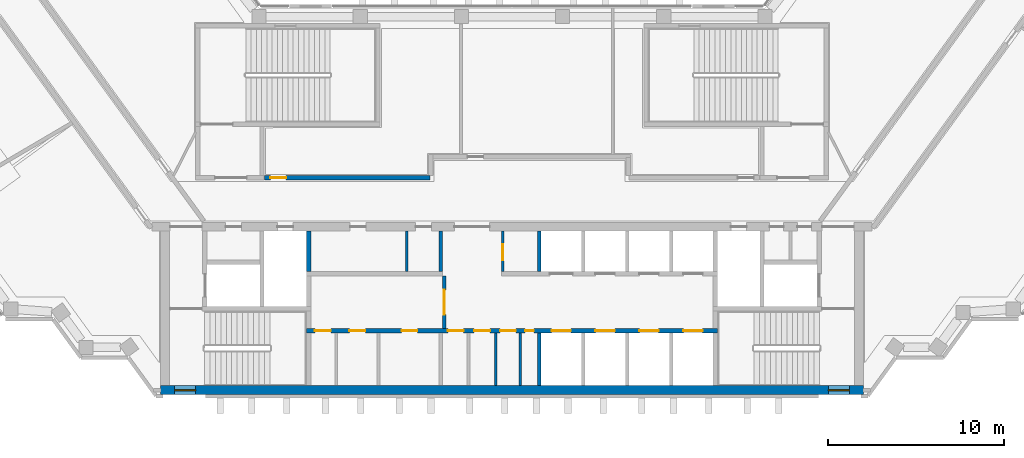
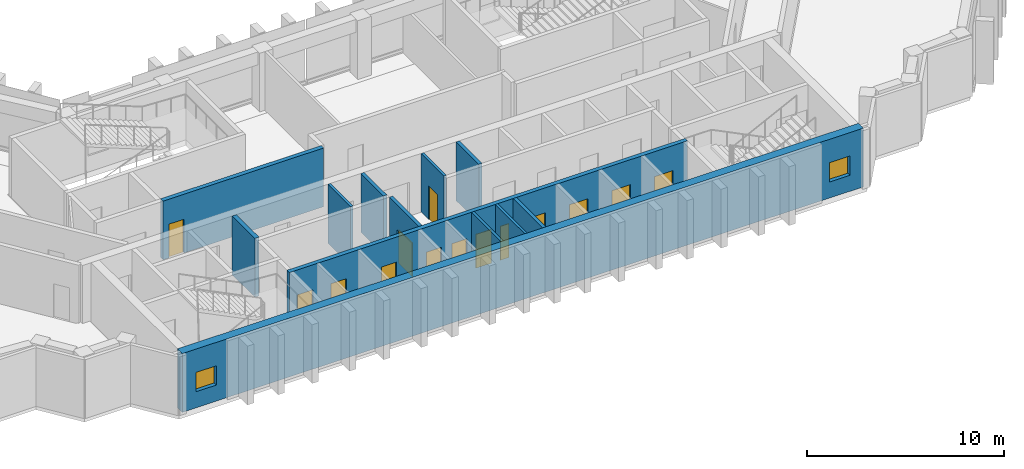
# One storey, part 7 of 13: 14 doors, 12 walls, 2 windows, 16 openings.
"""IFC4 building model written with IfcOpenShell, lengths in metres."""

from ifc_helpers import new_model, si_unit, direction, frame, frame_2d, origin, place, context, subcontext, project, spatial, rectangle, extrude, material, layer, layer_set, type_object, element, fill, save


model = new_model("IFC4")

# Units and contexts
model_context = context("Model", 3, precision=1e-05, world=origin(), true_north=direction((0.0, 1.0)))
body_context = subcontext(model_context, "Body", "Model", "MODEL_VIEW")
ifc_project = project(units=[si_unit("LENGTHUNIT", "METRE"), si_unit("AREAUNIT", "SQUARE_METRE"), si_unit("VOLUMEUNIT", "CUBIC_METRE"), si_unit("PLANEANGLEUNIT", "RADIAN"), si_unit("MASSUNIT", "GRAM", prefix="KILO")], contexts=[model_context])

# Site, building, storey
site_placement = place(None, origin())
site = spatial("IfcSite", under=ifc_project, at=site_placement, CompositionType="ELEMENT")
building_placement = place(site_placement, origin())
building = spatial("IfcBuilding", under=site, at=building_placement, Name="Quipu Civic Tower", CompositionType="ELEMENT")
storey_placement = place(building_placement, frame((0.0, 0.0, 156.0)))
storey = spatial("IfcBuildingStorey", under=building, at=storey_placement, Name="L36", CompositionType="ELEMENT", Elevation=156.0)

# Wall, openings, doors
ifc_material_1 = material(Name="Concrete C70/85", Category="concrete")
ifc_layer_1 = layer(ifc_material_1, 0.25)
ifc_layer_set_1 = layer_set([ifc_layer_1], Name="Concrete C70/85")
wall_type_1 = type_object("IfcWallType", Name="Core wall 250", PredefinedType="SHEAR", material=ifc_layer_set_1)
wall_1_placement = place(storey_placement, frame((11.699951171875, -7.375, 0.0), z_axis=(0.0, 0.0, 1.0), x_axis=(-1.0, 0.0, 0.0)))
wall_1 = element("IfcWall", 1, at=wall_1_placement, inside=storey, type_object=wall_type_1, Name="Core wall", PredefinedType="SHEAR", context=body_context, shape_type="SweptSolid", body=[
    extrude(rectangle(XDim=23.39990234375, YDim=0.25, at=frame_2d((11.699951171875, 0.0))), origin(), (0.0, 0.0, 1.0), 3.64990234375),
])
opening_1_placement = place(wall_1_placement, frame((22.011962890625, 0.0, 0.0)))
opening_1 = element("IfcOpeningElement", 2, at=opening_1_placement, cuts=wall_1, Name="Opening CD-01", PredefinedType="OPENING", context=body_context, shape_type="SweptSolid", body=[
    extrude(rectangle(XDim=0.89990234375, YDim=2.10009765625, at=frame_2d((0.449951171875, 1.050048828125))), frame((0.0, 0.135009765625, 0.0), z_axis=(0.0, -1.0, 0.0), x_axis=(1.0, 0.0, 0.0)), (0.0, 0.0, 1.0), 0.27001953125),
])
opening_2_placement = place(wall_1_placement, frame((20.050048828125, 0.0, 0.0)))
opening_2 = element("IfcOpeningElement", 3, at=opening_2_placement, cuts=wall_1, Name="Opening CD-02", PredefinedType="OPENING", context=body_context, shape_type="SweptSolid", body=[
    extrude(rectangle(XDim=0.89990234375, YDim=2.10009765625, at=frame_2d((0.449951171875, 1.050048828125))), frame((0.0, 0.135009765625, 0.0), z_axis=(0.0, -1.0, 0.0), x_axis=(1.0, 0.0, 0.0)), (0.0, 0.0, 1.0), 0.27001953125),
])
opening_3_placement = place(wall_1_placement, frame((17.087890625, 0.0, 0.0)))
opening_3 = element("IfcOpeningElement", 4, at=opening_3_placement, cuts=wall_1, Name="Opening CD-03", PredefinedType="OPENING", context=body_context, shape_type="SweptSolid", body=[
    extrude(rectangle(XDim=0.89990234375, YDim=2.10009765625, at=frame_2d((0.449951171875, 1.050048828125))), frame((0.0, 0.135009765625, 0.0), z_axis=(0.0, -1.0, 0.0), x_axis=(1.0, 0.0, 0.0)), (0.0, 0.0, 1.0), 0.27001953125),
])
opening_4_placement = place(wall_1_placement, frame((14.449951171875, 0.0, 0.0)))
opening_4 = element("IfcOpeningElement", 5, at=opening_4_placement, cuts=wall_1, Name="Opening CD-04", PredefinedType="OPENING", context=body_context, shape_type="SweptSolid", body=[
    extrude(rectangle(XDim=0.89990234375, YDim=2.10009765625, at=frame_2d((0.449951171875, 1.050048828125))), frame((0.0, 0.135009765625, 0.0), z_axis=(0.0, -1.0, 0.0), x_axis=(1.0, 0.0, 0.0)), (0.0, 0.0, 1.0), 0.27001953125),
])
opening_5_placement = place(wall_1_placement, frame((12.949951171875, 0.0, 0.0)))
opening_5 = element("IfcOpeningElement", 6, at=opening_5_placement, cuts=wall_1, Name="Opening CD-05", PredefinedType="OPENING", context=body_context, shape_type="SweptSolid", body=[
    extrude(rectangle(XDim=0.89990234375, YDim=2.10009765625, at=frame_2d((0.449951171875, 1.050048828125))), frame((0.0, 0.135009765625, 0.0), z_axis=(0.0, -1.0, 0.0), x_axis=(1.0, 0.0, 0.0)), (0.0, 0.0, 1.0), 0.27001953125),
])
opening_6_placement = place(wall_1_placement, frame((11.47509765625, 0.0, 0.0)))
opening_6 = element("IfcOpeningElement", 7, at=opening_6_placement, cuts=wall_1, Name="Opening CD-06", PredefinedType="OPENING", context=body_context, shape_type="SweptSolid", body=[
    extrude(rectangle(XDim=0.89990234375, YDim=2.10009765625, at=frame_2d((0.449951171875, 1.050048828125))), frame((0.0, 0.135009765625, 0.0), z_axis=(0.0, -1.0, 0.0), x_axis=(1.0, 0.0, 0.0)), (0.0, 0.0, 1.0), 0.27001953125),
])
opening_7_placement = place(wall_1_placement, frame((10.449951171875, 0.0, 0.0)))
opening_7 = element("IfcOpeningElement", 8, at=opening_7_placement, cuts=wall_1, Name="Opening CD-07", PredefinedType="OPENING", context=body_context, shape_type="SweptSolid", body=[
    extrude(rectangle(XDim=0.5, YDim=2.10009765625, at=frame_2d((0.25, 1.050048828125))), frame((0.0, 0.135009765625, 0.0), z_axis=(0.0, -1.0, 0.0), x_axis=(1.0, 0.0, 0.0)), (0.0, 0.0, 1.0), 0.27001953125),
])
opening_8_placement = place(wall_1_placement, frame((8.35009765625, 0.0, 0.0)))
opening_8 = element("IfcOpeningElement", 9, at=opening_8_placement, cuts=wall_1, Name="Opening LD-ML1", PredefinedType="OPENING", context=body_context, shape_type="SweptSolid", body=[
    extrude(rectangle(XDim=1.10009765625, YDim=2.10009765625, at=frame_2d((0.550048828125, 1.050048828125))), frame((0.0, 0.135009765625, 0.0), z_axis=(0.0, -1.0, 0.0), x_axis=(1.0, 0.0, 0.0)), (0.0, 0.0, 1.0), 0.27001953125),
])
opening_9_placement = place(wall_1_placement, frame((5.85009765625, 0.0, 0.0)))
opening_9 = element("IfcOpeningElement", 10, at=opening_9_placement, cuts=wall_1, Name="Opening LD-ML2", PredefinedType="OPENING", context=body_context, shape_type="SweptSolid", body=[
    extrude(rectangle(XDim=1.10009765625, YDim=2.10009765625, at=frame_2d((0.550048828125, 1.050048828125))), frame((0.0, 0.135009765625, 0.0), z_axis=(0.0, -1.0, 0.0), x_axis=(1.0, 0.0, 0.0)), (0.0, 0.0, 1.0), 0.27001953125),
])
opening_10_placement = place(wall_1_placement, frame((3.35009765625, 0.0, 0.0)))
opening_10 = element("IfcOpeningElement", 11, at=opening_10_placement, cuts=wall_1, Name="Opening LD-ML3", PredefinedType="OPENING", context=body_context, shape_type="SweptSolid", body=[
    extrude(rectangle(XDim=1.10009765625, YDim=2.10009765625, at=frame_2d((0.550048828125, 1.050048828125))), frame((0.0, 0.135009765625, 0.0), z_axis=(0.0, -1.0, 0.0), x_axis=(1.0, 0.0, 0.0)), (0.0, 0.0, 1.0), 0.27001953125),
])
opening_11_placement = place(wall_1_placement, frame((0.85009765625, 0.0, 0.0)))
opening_11 = element("IfcOpeningElement", 12, at=opening_11_placement, cuts=wall_1, Name="Opening LD-ML4", PredefinedType="OPENING", context=body_context, shape_type="SweptSolid", body=[
    extrude(rectangle(XDim=1.10009765625, YDim=2.10009765625, at=frame_2d((0.550048828125, 1.050048828125))), frame((0.0, 0.135009765625, 0.0), z_axis=(0.0, -1.0, 0.0), x_axis=(1.0, 0.0, 0.0)), (0.0, 0.0, 1.0), 0.27001953125),
])
ifc_material_2 = material(Name="Fire rated steel door", Category="steel")
door_type_1 = type_object("IfcDoorType", Name="Fire door FD60 500 x 2100", OperationType="NOTDEFINED", PredefinedType="DOOR", material=ifc_material_2)
door_1_placement = place(opening_7_placement, origin())
door_1 = element("IfcDoor", 13, at=door_1_placement, inside=storey, type_object=door_type_1, Name="Door", OperationType="SINGLE_SWING_LEFT", OverallHeight=2.10009765625, OverallWidth=0.5, PredefinedType="DOOR", context=body_context, shape_type="SweptSolid", body=[
    extrude(rectangle(XDim=0.5, YDim=2.10009765625, at=frame_2d((0.25, 1.050048828125))), frame((0.0, 0.02490234375, 0.0), z_axis=(0.0, -1.0, 0.0), x_axis=(1.0, 0.0, 0.0)), (0.0, 0.0, 1.0), 0.050048828125),
])
fill(opening_7, door_1)
ifc_material_3 = material(Name="Fire rated steel door", Category="steel")
door_type_2 = type_object("IfcDoorType", Name="Fire door FD60 900 x 2100", OperationType="NOTDEFINED", PredefinedType="DOOR", material=ifc_material_3)
door_2_placement = place(opening_1_placement, origin())
door_2 = element("IfcDoor", 14, at=door_2_placement, inside=storey, type_object=door_type_2, Name="Door", OperationType="SINGLE_SWING_RIGHT", OverallHeight=2.10009765625, OverallWidth=0.89990234375, PredefinedType="DOOR", context=body_context, shape_type="SweptSolid", body=[
    extrude(rectangle(XDim=0.89990234375, YDim=2.10009765625, at=frame_2d((0.449951171875, 1.050048828125))), frame((0.0, 0.02490234375, 0.0), z_axis=(0.0, -1.0, 0.0), x_axis=(1.0, 0.0, 0.0)), (0.0, 0.0, 1.0), 0.050048828125),
])
fill(opening_1, door_2)
door_3_placement = place(opening_2_placement, origin())
door_3 = element("IfcDoor", 15, at=door_3_placement, inside=storey, type_object=door_type_2, Name="Door", OperationType="SINGLE_SWING_RIGHT", OverallHeight=2.10009765625, OverallWidth=0.89990234375, PredefinedType="DOOR", context=body_context, shape_type="SweptSolid", body=[
    extrude(rectangle(XDim=0.89990234375, YDim=2.10009765625, at=frame_2d((0.449951171875, 1.050048828125))), frame((0.0, 0.02490234375, 0.0), z_axis=(0.0, -1.0, 0.0), x_axis=(1.0, 0.0, 0.0)), (0.0, 0.0, 1.0), 0.050048828125),
])
fill(opening_2, door_3)
door_4_placement = place(opening_3_placement, origin())
door_4 = element("IfcDoor", 16, at=door_4_placement, inside=storey, type_object=door_type_2, Name="Door", OperationType="SINGLE_SWING_RIGHT", OverallHeight=2.10009765625, OverallWidth=0.89990234375, PredefinedType="DOOR", context=body_context, shape_type="SweptSolid", body=[
    extrude(rectangle(XDim=0.89990234375, YDim=2.10009765625, at=frame_2d((0.449951171875, 1.050048828125))), frame((0.0, 0.02490234375, 0.0), z_axis=(0.0, -1.0, 0.0), x_axis=(1.0, 0.0, 0.0)), (0.0, 0.0, 1.0), 0.050048828125),
])
fill(opening_3, door_4)
door_5_placement = place(opening_4_placement, origin())
door_5 = element("IfcDoor", 17, at=door_5_placement, inside=storey, type_object=door_type_2, Name="WC door", OperationType="SINGLE_SWING_RIGHT", OverallHeight=2.10009765625, OverallWidth=0.89990234375, PredefinedType="DOOR", context=body_context, shape_type="SweptSolid", body=[
    extrude(rectangle(XDim=0.89990234375, YDim=2.10009765625, at=frame_2d((0.449951171875, 1.050048828125))), frame((0.0, 0.02490234375, 0.0), z_axis=(0.0, -1.0, 0.0), x_axis=(1.0, 0.0, 0.0)), (0.0, 0.0, 1.0), 0.050048828125),
])
fill(opening_4, door_5)
door_6_placement = place(opening_5_placement, origin())
door_6 = element("IfcDoor", 18, at=door_6_placement, inside=storey, type_object=door_type_2, Name="WC door", OperationType="SINGLE_SWING_RIGHT", OverallHeight=2.10009765625, OverallWidth=0.89990234375, PredefinedType="DOOR", context=body_context, shape_type="SweptSolid", body=[
    extrude(rectangle(XDim=0.89990234375, YDim=2.10009765625, at=frame_2d((0.449951171875, 1.050048828125))), frame((0.0, 0.02490234375, 0.0), z_axis=(0.0, -1.0, 0.0), x_axis=(1.0, 0.0, 0.0)), (0.0, 0.0, 1.0), 0.050048828125),
])
fill(opening_5, door_6)
door_7_placement = place(opening_6_placement, origin())
door_7 = element("IfcDoor", 19, at=door_7_placement, inside=storey, type_object=door_type_2, Name="WC door", OperationType="SINGLE_SWING_RIGHT", OverallHeight=2.10009765625, OverallWidth=0.89990234375, PredefinedType="DOOR", context=body_context, shape_type="SweptSolid", body=[
    extrude(rectangle(XDim=0.89990234375, YDim=2.10009765625, at=frame_2d((0.449951171875, 1.050048828125))), frame((0.0, 0.02490234375, 0.0), z_axis=(0.0, -1.0, 0.0), x_axis=(1.0, 0.0, 0.0)), (0.0, 0.0, 1.0), 0.050048828125),
])
fill(opening_6, door_7)
ifc_material_4 = material(Name="Stainless steel", Category="steel")
door_type_3 = type_object("IfcDoorType", Name="Lift landing door 1100 x 2100", OperationType="DOUBLE_DOOR_SLIDING", PredefinedType="DOOR", material=ifc_material_4)
door_8_placement = place(opening_8_placement, origin())
door_8 = element("IfcDoor", 20, at=door_8_placement, inside=storey, type_object=door_type_3, Name="Landing door ML1", OperationType="DOUBLE_DOOR_SLIDING", OverallHeight=2.10009765625, OverallWidth=1.10009765625, PredefinedType="DOOR", context=body_context, shape_type="SweptSolid", body=[
    extrude(rectangle(XDim=1.10009765625, YDim=2.10009765625, at=frame_2d((0.550048828125, 1.050048828125))), frame((0.0, 0.02490234375, 0.0), z_axis=(0.0, -1.0, 0.0), x_axis=(1.0, 0.0, 0.0)), (0.0, 0.0, 1.0), 0.050048828125),
])
fill(opening_8, door_8)
door_9_placement = place(opening_9_placement, origin())
door_9 = element("IfcDoor", 21, at=door_9_placement, inside=storey, type_object=door_type_3, Name="Landing door ML2", OperationType="DOUBLE_DOOR_SLIDING", OverallHeight=2.10009765625, OverallWidth=1.10009765625, PredefinedType="DOOR", context=body_context, shape_type="SweptSolid", body=[
    extrude(rectangle(XDim=1.10009765625, YDim=2.10009765625, at=frame_2d((0.550048828125, 1.050048828125))), frame((0.0, 0.02490234375, 0.0), z_axis=(0.0, -1.0, 0.0), x_axis=(1.0, 0.0, 0.0)), (0.0, 0.0, 1.0), 0.050048828125),
])
fill(opening_9, door_9)
door_10_placement = place(opening_10_placement, origin())
door_10 = element("IfcDoor", 22, at=door_10_placement, inside=storey, type_object=door_type_3, Name="Landing door ML3", OperationType="DOUBLE_DOOR_SLIDING", OverallHeight=2.10009765625, OverallWidth=1.10009765625, PredefinedType="DOOR", context=body_context, shape_type="SweptSolid", body=[
    extrude(rectangle(XDim=1.10009765625, YDim=2.10009765625, at=frame_2d((0.550048828125, 1.050048828125))), frame((0.0, 0.02490234375, 0.0), z_axis=(0.0, -1.0, 0.0), x_axis=(1.0, 0.0, 0.0)), (0.0, 0.0, 1.0), 0.050048828125),
])
fill(opening_10, door_10)
door_11_placement = place(opening_11_placement, origin())
door_11 = element("IfcDoor", 23, at=door_11_placement, inside=storey, type_object=door_type_3, Name="Landing door ML4", OperationType="DOUBLE_DOOR_SLIDING", OverallHeight=2.10009765625, OverallWidth=1.10009765625, PredefinedType="DOOR", context=body_context, shape_type="SweptSolid", body=[
    extrude(rectangle(XDim=1.10009765625, YDim=2.10009765625, at=frame_2d((0.550048828125, 1.050048828125))), frame((0.0, 0.02490234375, 0.0), z_axis=(0.0, -1.0, 0.0), x_axis=(1.0, 0.0, 0.0)), (0.0, 0.0, 1.0), 0.050048828125),
])
fill(opening_11, door_11)

# Wall
wall_2_placement = place(storey_placement, frame((-11.574951171875, -4.0, 0.0), z_axis=(0.0, 0.0, 1.0), x_axis=(0.0, 1.0, 0.0)))
element("IfcWall", 24, at=wall_2_placement, inside=storey, type_object=wall_type_1, Name="Core wall", PredefinedType="SHEAR", context=body_context, shape_type="SweptSolid", body=[
    extrude(rectangle(XDim=2.300048828125, YDim=0.25, at=frame_2d((1.14990234375, 0.0))), origin(), (0.0, 0.0, 1.0), 3.64990234375),
])

# Wall, openings, windows
ifc_material_5 = material(Name="Concrete C70/85", Category="concrete")
ifc_layer_2 = layer(ifc_material_5, 0.5)
ifc_layer_set_2 = layer_set([ifc_layer_2], Name="Concrete C70/85")
wall_type_2 = type_object("IfcWallType", Name="Core wall 500", PredefinedType="SHEAR", material=ifc_layer_set_2)
wall_3_placement = place(storey_placement, frame((-20.0, -10.75, 0.0), z_axis=(0.0, 0.0, 1.0), x_axis=(1.0, 0.0, 0.0)))
wall_3 = element("IfcWall", 25, at=wall_3_placement, inside=storey, type_object=wall_type_2, Name="Core wall", PredefinedType="SHEAR", context=body_context, shape_type="SweptSolid", body=[
    extrude(rectangle(XDim=40.0, YDim=0.5, at=frame_2d((20.0, 0.0))), origin(), (0.0, 0.0, 1.0), 3.64990234375),
])
opening_12_placement = place(wall_3_placement, frame((0.800048828125, 0.0, 1.0)))
opening_12 = element("IfcOpeningElement", 26, at=opening_12_placement, cuts=wall_3, Name="Opening SV-1", PredefinedType="OPENING", context=body_context, shape_type="SweptSolid", body=[
    extrude(rectangle(XDim=1.199951171875, YDim=1.199951171875, at=frame_2d((0.60009765625, 0.60009765625))), frame((0.0, 0.260009765625, 0.0), z_axis=(0.0, -1.0, 0.0), x_axis=(1.0, 0.0, 0.0)), (0.0, 0.0, 1.0), 0.52001953125),
])
opening_13_placement = place(wall_3_placement, frame((38.0, 0.0, 1.0)))
opening_13 = element("IfcOpeningElement", 27, at=opening_13_placement, cuts=wall_3, Name="Opening SV-2", PredefinedType="OPENING", context=body_context, shape_type="SweptSolid", body=[
    extrude(rectangle(XDim=1.199951171875, YDim=1.199951171875, at=frame_2d((0.60009765625, 0.60009765625))), frame((0.0, 0.260009765625, 0.0), z_axis=(0.0, -1.0, 0.0), x_axis=(1.0, 0.0, 0.0)), (0.0, 0.0, 1.0), 0.52001953125),
])
ifc_material_6 = material(Name="Aluminium louvre", Category="aluminium")
window_type = type_object("IfcWindowType", Name="Stair ventilation louvre 1200 x 1200", PartitioningType="SINGLE_PANEL", PredefinedType="WINDOW", material=ifc_material_6)
window_1_placement = place(opening_12_placement, origin())
window_1 = element("IfcWindow", 28, at=window_1_placement, inside=storey, type_object=window_type, Name="Stair ventilation opening", OverallHeight=1.199951171875, OverallWidth=1.199951171875, PartitioningType="SINGLE_PANEL", PredefinedType="WINDOW", context=body_context, shape_type="SweptSolid", body=[
    extrude(rectangle(XDim=1.199951171875, YDim=1.199951171875, at=frame_2d((0.60009765625, 0.60009765625))), frame((0.0, 0.030029296875, 0.0), z_axis=(0.0, -1.0, 0.0), x_axis=(1.0, 0.0, 0.0)), (0.0, 0.0, 1.0), 0.06005859375),
])
fill(opening_12, window_1)
window_2_placement = place(opening_13_placement, origin())
window_2 = element("IfcWindow", 29, at=window_2_placement, inside=storey, type_object=window_type, Name="Stair ventilation opening", OverallHeight=1.199951171875, OverallWidth=1.199951171875, PartitioningType="SINGLE_PANEL", PredefinedType="WINDOW", context=body_context, shape_type="SweptSolid", body=[
    extrude(rectangle(XDim=1.199951171875, YDim=1.199951171875, at=frame_2d((0.60009765625, 0.60009765625))), frame((0.0, 0.030029296875, 0.0), z_axis=(0.0, -1.0, 0.0), x_axis=(1.0, 0.0, 0.0)), (0.0, 0.0, 1.0), 0.06005859375),
])
fill(opening_13, window_2)

# Wall, opening, door
ifc_material_7 = material(Name="Concrete C50/60", Category="concrete")
ifc_layer_3 = layer(ifc_material_7, 0.25)
ifc_layer_set_3 = layer_set([ifc_layer_3], Name="Concrete C50/60")
wall_type_3 = type_object("IfcWallType", Name="Corridor wall 250 concrete", PredefinedType="SOLIDWALL", material=ifc_layer_set_3)
wall_4_placement = place(storey_placement, frame((-14.090087890625, 1.324951171875, 0.0), z_axis=(0.0, 0.0, 1.0), x_axis=(1.0, 0.0, 0.0)))
wall_4 = element("IfcWall", 30, at=wall_4_placement, inside=storey, type_object=wall_type_3, Name="Corridor wall C07", PredefinedType="SOLIDWALL", context=body_context, shape_type="SweptSolid", body=[
    extrude(rectangle(XDim=9.431396484375, YDim=0.25, at=frame_2d((4.7158203125, 0.0))), origin(), (0.0, 0.0, 1.0), 3.64990234375),
])
opening_14_placement = place(wall_4_placement, frame((0.340087890625, 0.0, 0.0)))
opening_14 = element("IfcOpeningElement", 31, at=opening_14_placement, cuts=wall_4, Name="Opening D007", PredefinedType="OPENING", context=body_context, shape_type="SweptSolid", body=[
    extrude(rectangle(XDim=0.89990234375, YDim=2.10009765625, at=frame_2d((0.449951171875, 1.050048828125))), frame((0.0, 0.135009765625, 0.0), z_axis=(0.0, -1.0, 0.0), x_axis=(1.0, 0.0, 0.0)), (0.0, 0.0, 1.0), 0.27001953125),
])
ifc_material_8 = material(Name="Fire rated timber door set with metal frame", Category="wood")
door_type_4 = type_object("IfcDoorType", Name="Single door 900 x 2100 FD60", OperationType="NOTDEFINED", PredefinedType="DOOR", material=ifc_material_8)
door_12_placement = place(opening_14_placement, origin())
door_12 = element("IfcDoor", 32, at=door_12_placement, inside=storey, type_object=door_type_4, Name="Door D007", OperationType="SINGLE_SWING_LEFT", OverallHeight=2.10009765625, OverallWidth=0.89990234375, PredefinedType="DOOR", context=body_context, shape_type="SweptSolid", body=[
    extrude(rectangle(XDim=0.89990234375, YDim=2.10009765625, at=frame_2d((0.449951171875, 1.050048828125))), frame((0.0, 0.02490234375, 0.0), z_axis=(0.0, -1.0, 0.0), x_axis=(1.0, 0.0, 0.0)), (0.0, 0.0, 1.0), 0.050048828125),
])
fill(opening_14, door_12)

# Walls
ifc_material_9 = material(Name="Gypsum board partition")
ifc_layer_4 = layer(ifc_material_9, 0.14990234375)
ifc_layer_set_4 = layer_set([ifc_layer_4], Name="Gypsum board partition")
wall_type_4 = type_object("IfcWallType", Name="Partition 150", PredefinedType="PARTITIONING", material=ifc_layer_set_4)
for number, where, z_axis, x_axis, name in (
    (33, (-0.925048828125, -10.5, 0.0), (0.0, 0.0, 1.0), (0.0, 1.0, 0.0), "Partition"),
    (34, (0.47509765625, -10.5, 0.0), (0.0, 0.0, 1.0), (0.0, 1.0, 0.0), "Partition"),
):
    element("IfcWall", number, at=place(storey_placement, frame(where, z_axis=z_axis, x_axis=x_axis)), inside=storey, type_object=wall_type_4, Name=name, PredefinedType="PARTITIONING", context=body_context, shape_type="SweptSolid", body=[
        extrude(rectangle(XDim=3.0, YDim=0.14990234375, at=frame_2d((1.5, 0.0))), origin(), (0.0, 0.0, 1.0), 3.64990234375),
    ])
wall_5_placement = place(storey_placement, frame((-6.0, -4.0, 0.0), z_axis=(0.0, 0.0, 1.0), x_axis=(0.0, 1.0, 0.0)))
element("IfcWall", 35, at=wall_5_placement, inside=storey, type_object=wall_type_4, Name="Partition", PredefinedType="PARTITIONING", context=body_context, shape_type="SweptSolid", body=[
    extrude(rectangle(XDim=2.300048828125, YDim=0.14990234375, at=frame_2d((1.14990234375, 0.0))), origin(), (0.0, 0.0, 1.0), 3.64990234375),
])

# Wall, opening, door
wall_6_placement = place(storey_placement, frame((-0.52490234375, -4.0, 0.0), z_axis=(0.0, 0.0, 1.0), x_axis=(0.0, 1.0, 0.0)))
wall_6 = element("IfcWall", 36, at=wall_6_placement, inside=storey, type_object=wall_type_4, Name="Partition", PredefinedType="PARTITIONING", context=body_context, shape_type="SweptSolid", body=[
    extrude(rectangle(XDim=2.300048828125, YDim=0.14990234375, at=frame_2d((1.14990234375, 0.0))), origin(), (0.0, 0.0, 1.0), 3.64990234375),
])
opening_15_placement = place(wall_6_placement, frame((0.64990234375, 0.0, 0.0)))
opening_15 = element("IfcOpeningElement", 37, at=opening_15_placement, cuts=wall_6, Name="Opening CD-11", PredefinedType="OPENING", context=body_context, shape_type="SweptSolid", body=[
    extrude(rectangle(XDim=0.89990234375, YDim=2.10009765625, at=frame_2d((0.449951171875, 1.050048828125))), frame((0.0, 0.0849609375, 0.0), z_axis=(0.0, -1.0, 0.0), x_axis=(1.0, 0.0, 0.0)), (0.0, 0.0, 1.0), 0.169921875),
])
door_13_placement = place(opening_15_placement, origin())
door_13 = element("IfcDoor", 38, at=door_13_placement, inside=storey, type_object=door_type_2, Name="WC door", OperationType="SINGLE_SWING_LEFT", OverallHeight=2.10009765625, OverallWidth=0.89990234375, PredefinedType="DOOR", context=body_context, shape_type="SweptSolid", body=[
    extrude(rectangle(XDim=0.89990234375, YDim=2.10009765625, at=frame_2d((0.449951171875, 1.050048828125))), frame((0.0, 0.02490234375, 0.0), z_axis=(0.0, -1.0, 0.0), x_axis=(1.0, 0.0, 0.0)), (0.0, 0.0, 1.0), 0.050048828125),
])
fill(opening_15, door_13)

# Wall
ifc_material_10 = material(Name="Concrete C40/50", Category="concrete")
ifc_layer_5 = layer(ifc_material_10, 0.199951171875)
ifc_layer_set_5 = layer_set([ifc_layer_5], Name="Concrete C40/50")
wall_type_5 = type_object("IfcWallType", Name="Shaft wall 200", PredefinedType="SOLIDWALL", material=ifc_layer_set_5)
wall_7_placement = place(storey_placement, frame((1.550048828125, -10.5, 0.0), z_axis=(0.0, 0.0, 1.0), x_axis=(0.0, 1.0, 0.0)))
element("IfcWall", 39, at=wall_7_placement, inside=storey, type_object=wall_type_5, Name="Shaft wall", PredefinedType="SOLIDWALL", context=body_context, shape_type="SweptSolid", body=[
    extrude(rectangle(XDim=3.0, YDim=0.199951171875, at=frame_2d((1.5, 0.0))), origin(), (0.0, 0.0, 1.0), 3.64990234375),
])

# Wall, opening, door
wall_8_placement = place(storey_placement, frame((-3.85009765625, -4.25, 0.0), z_axis=(0.0, 0.0, 1.0), x_axis=(0.0, -1.0, 0.0)))
wall_8 = element("IfcWall", 40, at=wall_8_placement, inside=storey, type_object=wall_type_5, Name="Shaft wall", PredefinedType="SOLIDWALL", context=body_context, shape_type="SweptSolid", body=[
    extrude(rectangle(XDim=3.0, YDim=0.199951171875, at=frame_2d((1.5, 0.0))), origin(), (0.0, 0.0, 1.0), 3.64990234375),
])
opening_16_placement = place(wall_8_placement, frame((0.800048828125, 0.0, 0.0)))
opening_16 = element("IfcOpeningElement", 41, at=opening_16_placement, cuts=wall_8, Name="Opening CD-10", PredefinedType="OPENING", context=body_context, shape_type="SweptSolid", body=[
    extrude(rectangle(XDim=1.39990234375, YDim=2.10009765625, at=frame_2d((0.699951171875, 1.050048828125))), frame((0.0, 0.10986328125, 0.0), z_axis=(0.0, -1.0, 0.0), x_axis=(1.0, 0.0, 0.0)), (0.0, 0.0, 1.0), 0.219970703125),
])
ifc_material_11 = material(Name="Fire rated steel door", Category="steel")
door_type_5 = type_object("IfcDoorType", Name="Fire door FD60 double 1400 x 2100", OperationType="NOTDEFINED", PredefinedType="DOOR", material=ifc_material_11)
door_14_placement = place(opening_16_placement, origin())
door_14 = element("IfcDoor", 42, at=door_14_placement, inside=storey, type_object=door_type_5, Name="Hall door", OperationType="DOUBLE_DOOR_SINGLE_SWING", OverallHeight=2.10009765625, OverallWidth=1.39990234375, PredefinedType="DOOR", context=body_context, shape_type="SweptSolid", body=[
    extrude(rectangle(XDim=1.39990234375, YDim=2.10009765625, at=frame_2d((0.699951171875, 1.050048828125))), frame((0.0, 0.02490234375, 0.0), z_axis=(0.0, -1.0, 0.0), x_axis=(1.0, 0.0, 0.0)), (0.0, 0.0, 1.0), 0.050048828125),
])
fill(opening_16, door_14)

# Walls
for number, where, z_axis, x_axis, name in (
    (43, (-4.050048828125, -4.0, 0.0), (0.0, 0.0, 1.0), (0.0, 1.0, 0.0), "Shaft wall"),
    (44, (1.550048828125, -4.0, 0.0), (0.0, 0.0, 1.0), (0.0, 1.0, 0.0), "Shaft wall"),
):
    element("IfcWall", number, at=place(storey_placement, frame(where, z_axis=z_axis, x_axis=x_axis)), inside=storey, type_object=wall_type_5, Name=name, PredefinedType="SOLIDWALL", context=body_context, shape_type="SweptSolid", body=[
        extrude(rectangle(XDim=2.300048828125, YDim=0.199951171875, at=frame_2d((1.14990234375, 0.0))), origin(), (0.0, 0.0, 1.0), 3.64990234375),
    ])

save(model, "model.ifc")
